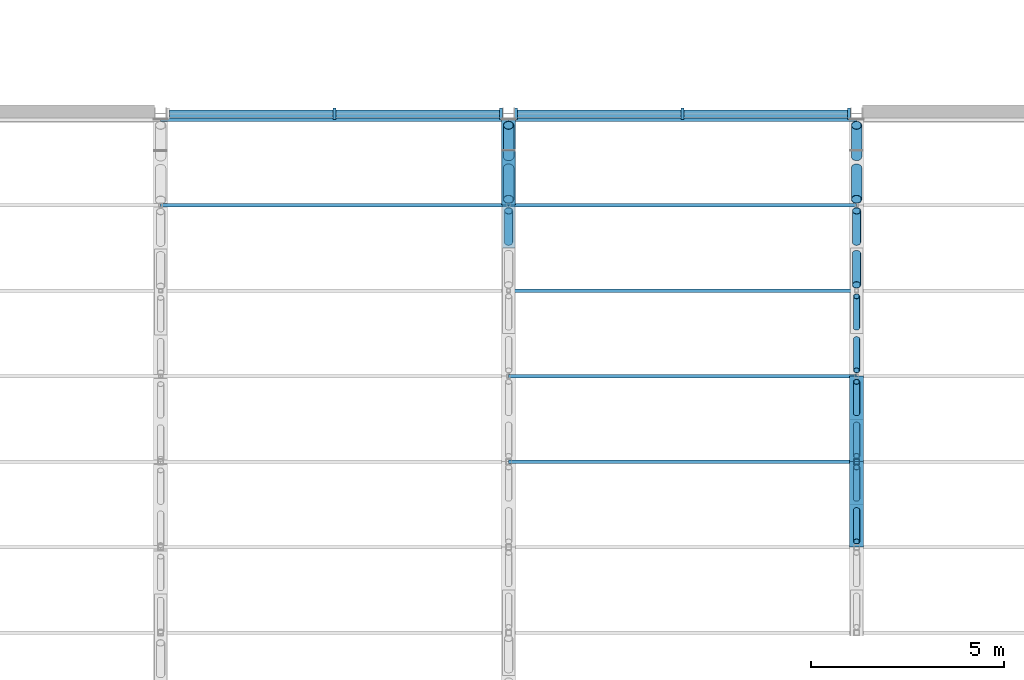
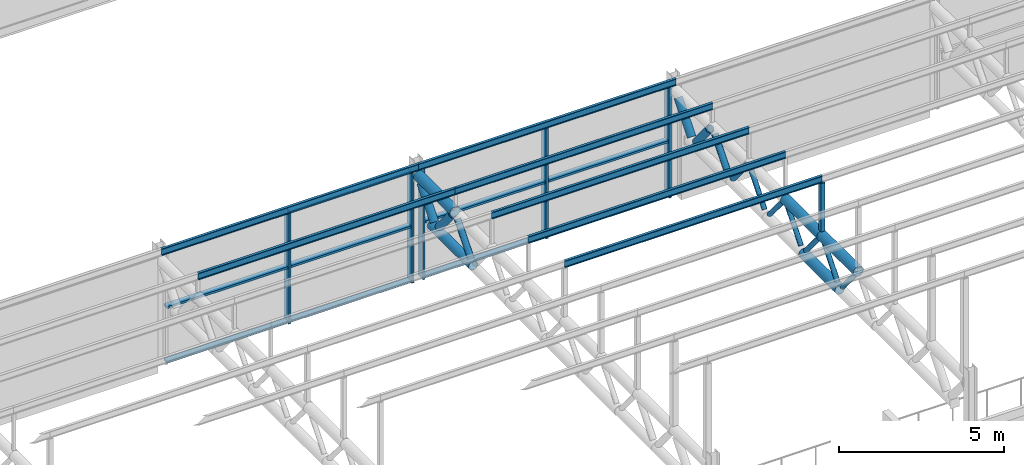
# One storey, part 76 of 138: 43 members, 2 elements without a shape of their own.
"""IFC4 building model written with IfcOpenShell, lengths in metres."""

from ifc_helpers import new_model, si_unit, direction, frame, origin, origin_2d, place, context, subcontext, project, spatial, rectangle, hollow_rectangle, hollow_circle, i_section, extrude, material, layer, layer_set, material_profile, profile_set, type_object, element, aggregate, save


model = new_model("IFC4")

# Units and contexts
model_context = context("Model", 3, precision=1e-05, world=origin(), true_north=direction((0.0, 1.0)))
body_context = subcontext(model_context, "Body", "Model", "MODEL_VIEW")
ifc_project = project(units=[si_unit("LENGTHUNIT", "METRE"), si_unit("AREAUNIT", "SQUARE_METRE"), si_unit("VOLUMEUNIT", "CUBIC_METRE"), si_unit("PLANEANGLEUNIT", "RADIAN"), si_unit("MASSUNIT", "GRAM", prefix="KILO")], contexts=[model_context])

# Site, building, storey
site_placement = place(None, origin())
site = spatial("IfcSite", under=ifc_project, at=site_placement, CompositionType="ELEMENT")
building_placement = place(site_placement, origin())
building = spatial("IfcBuilding", under=site, at=building_placement, Name="Corbel Yard City Hall", CompositionType="ELEMENT")
storey_placement = place(building_placement, frame((0.0, 0.0, 10.5)))
storey = spatial("IfcBuildingStorey", under=building, at=storey_placement, Name="L02", CompositionType="ELEMENT", Elevation=10.5)

# Members
ifc_material_1 = material(Name="Steel Grade 300 (300 MPa yield)", Category="steel")
ifc_material_profile_1 = material_profile(ifc_material_1, i_section(OverallWidth=0.090087890625, OverallDepth=0.25, WebThickness=0.008056640625, FlangeThickness=0.014892578125, at=origin_2d()), Name="250PFC")
ifc_profile_set_1 = profile_set([ifc_material_profile_1], Name="Steel Grade 300 (300 MPa yield)")
member_type_1 = type_object("IfcMemberType", Name="Eaves purlin 250PFC", PredefinedType="PURLIN", material=ifc_profile_set_1)
for number, where, z_axis, x_axis, name in (
    (1, (126.0, 26.847412109375, 4.24658203125), (1.0, 0.0, 0.0), (0.0, 1.0, 0.0), "Eaves purlin 250PFC PU2"),
    (2, (135.0, 26.847412109375, 4.24658203125), (1.0, 0.0, 0.0), (0.0, 1.0, 0.0), "Eaves purlin 250PFC PU2"),
):
    element("IfcMember", number, at=place(storey_placement, frame(where, z_axis=z_axis, x_axis=x_axis)), inside=storey, type_object=member_type_1, Name=name, PredefinedType="PURLIN", context=body_context, shape_type="SweptSolid", body=[
        extrude(i_section(OverallWidth=0.090087890625, OverallDepth=0.25, WebThickness=0.008056640625, FlangeThickness=0.014892578125, at=origin_2d()), origin(), (0.0, 0.0, 1.0), 9.0),
    ])
ifc_material_2 = material(Name="Steel Grade C350L0", Category="steel")
ifc_material_profile_2 = material_profile(ifc_material_2, hollow_circle(Radius=0.161865234375, WallThickness=0.0126953125, at=origin_2d()), Name="323.9x12.7CHS")
ifc_profile_set_2 = profile_set([ifc_material_profile_2], Name="Steel Grade C350L0")
member_type_2 = type_object("IfcMemberType", Name="Hall roof truss bottom chord 323.9x12.7CHS", PredefinedType="CHORD", material=ifc_profile_set_2)
member_1_placement = place(storey_placement, frame((135.0, 23.52978515625, 2.59228515625), z_axis=(0.0, 1.0, 0.0), x_axis=(-1.0, 0.0, 0.0)))
element("IfcMember", 3, at=member_1_placement, inside=storey, type_object=member_type_2, Name="Hall roof truss bottom chord 323.9x12.7CHS TC2", PredefinedType="CHORD", context=body_context, shape_type="SweptSolid", body=[
    extrude(hollow_circle(Radius=0.161865234375, WallThickness=0.0126953125, at=origin_2d()), origin(), (0.0, 0.0, 1.0), 2.51171875),
])
ifc_material_profile_3 = material_profile(ifc_material_2, hollow_circle(Radius=0.177734375, WallThickness=0.0126953125, at=origin_2d()), Name="355.6x12.7CHS")
ifc_profile_set_3 = profile_set([ifc_material_profile_3], Name="Steel Grade C350L0")
member_type_3 = type_object("IfcMemberType", Name="Hall roof truss bottom chord 355.6x12.7CHS", PredefinedType="CHORD", material=ifc_profile_set_3)
member_2_placement = place(storey_placement, frame((144.0, 16.89404296875, 2.59228515625), z_axis=(0.0, 1.0, 0.0), x_axis=(-1.0, 0.0, 0.0)))
element("IfcMember", 4, at=member_2_placement, inside=storey, type_object=member_type_3, Name="Hall roof truss bottom chord 355.6x12.7CHS TC3", PredefinedType="CHORD", context=body_context, shape_type="SweptSolid", body=[
    extrude(hollow_circle(Radius=0.177734375, WallThickness=0.0126953125, at=origin_2d()), origin(), (0.0, 0.0, 1.0), 2.2119140625),
])
ifc_material_profile_4 = material_profile(ifc_material_2, hollow_circle(Radius=0.084228515625, WallThickness=0.007080078125, at=origin_2d()), Name="168.3x7.1CHS")
ifc_profile_set_4 = profile_set([ifc_material_profile_4], Name="Steel Grade C350L0")
member_type_4 = type_object("IfcMemberType", Name="Hall roof truss diagonal 168.3x7.1CHS", PredefinedType="STRUT", material=ifc_profile_set_4)
member_3_placement = place(storey_placement, frame((144.0, 15.93603515625, 3.744384765625), z_axis=(0.0, 0.639407153698, -0.768868318894), x_axis=(-1.0, 0.0, 0.0)))
element("IfcMember", 5, at=member_3_placement, inside=storey, type_object=member_type_4, Name="Hall roof truss diagonal 168.3x7.1CHS TD3", PredefinedType="STRUT", context=body_context, shape_type="SweptSolid", body=[
    extrude(hollow_circle(Radius=0.084228515625, WallThickness=0.007080078125, at=origin_2d()), origin(), (0.0, 0.0, 1.0), 1.267333984375),
])
for number, where, z_axis, x_axis, name in (
    (6, (144.0, 17.0419921875, 2.77001953125), (0.0, 0.639293245648, 0.768963032966), (-1.0, 0.0, 0.0), "Hall roof truss diagonal 168.3x7.1CHS TD3"),
    (7, (144.0, 18.14794921875, 3.744384765625), (0.0, 0.639293245648, -0.768963032966), (-1.0, 0.0, 0.0), "Hall roof truss diagonal 168.3x7.1CHS TD3"),
):
    element("IfcMember", number, at=place(storey_placement, frame(where, z_axis=z_axis, x_axis=x_axis)), inside=storey, type_object=member_type_4, Name=name, PredefinedType="STRUT", context=body_context, shape_type="SweptSolid", body=[
        extrude(hollow_circle(Radius=0.084228515625, WallThickness=0.007080078125, at=origin_2d()), origin(), (0.0, 0.0, 1.0), 1.26708984375),
    ])
for number, where, z_axis, x_axis, name in (
    (8, (144.0, 19.253662109375, 2.77001953125), (0.0, 0.639407153698, 0.768868318894), (-1.0, 0.0, 0.0), "Hall roof truss diagonal 168.3x7.1CHS TD3"),
    (9, (144.0, 20.359619140625, 3.744384765625), (0.0, 0.639407153698, -0.768868318894), (-1.0, 0.0, 0.0), "Hall roof truss diagonal 168.3x7.1CHS TD3"),
    (10, (144.0, 21.465576171875, 2.77001953125), (0.0, 0.639407153698, 0.768868318894), (-1.0, 0.0, 0.0), "Hall roof truss diagonal 168.3x7.1CHS TD3"),
):
    element("IfcMember", number, at=place(storey_placement, frame(where, z_axis=z_axis, x_axis=x_axis)), inside=storey, type_object=member_type_4, Name=name, PredefinedType="STRUT", context=body_context, shape_type="SweptSolid", body=[
        extrude(hollow_circle(Radius=0.084228515625, WallThickness=0.007080078125, at=origin_2d()), origin(), (0.0, 0.0, 1.0), 1.267333984375),
    ])
ifc_material_profile_5 = material_profile(ifc_material_2, hollow_circle(Radius=0.109619140625, WallThickness=0.00830078125, at=origin_2d()), Name="219.1x8.2CHS")
ifc_profile_set_5 = profile_set([ifc_material_profile_5], Name="Steel Grade C350L0")
member_type_5 = type_object("IfcMemberType", Name="Hall roof truss diagonal 219.1x8.2CHS", PredefinedType="STRUT", material=ifc_profile_set_5)
for number, where, z_axis, x_axis, name in (
    (11, (135.0, 23.677490234375, 2.77001953125), (0.0, 0.639407153698, 0.768868318894), (-1.0, 0.0, 0.0), "Hall roof truss diagonal 219.1x8.2CHS TD2"),
    (12, (144.0, 22.571533203125, 3.744384765625), (0.0, 0.639407153698, -0.768868318894), (-1.0, 0.0, 0.0), "Hall roof truss diagonal 219.1x8.2CHS TD2"),
    (13, (144.0, 23.677490234375, 2.77001953125), (0.0, 0.639407153698, 0.768868318894), (-1.0, 0.0, 0.0), "Hall roof truss diagonal 219.1x8.2CHS TD2"),
):
    element("IfcMember", number, at=place(storey_placement, frame(where, z_axis=z_axis, x_axis=x_axis)), inside=storey, type_object=member_type_5, Name=name, PredefinedType="STRUT", context=body_context, shape_type="SweptSolid", body=[
        extrude(hollow_circle(Radius=0.109619140625, WallThickness=0.00830078125, at=origin_2d()), origin(), (0.0, 0.0, 1.0), 1.267333984375),
    ])
ifc_material_profile_6 = material_profile(ifc_material_2, hollow_circle(Radius=0.136474609375, WallThickness=0.00927734375, at=origin_2d()), Name="273.1x9.3CHS")
ifc_profile_set_6 = profile_set([ifc_material_profile_6], Name="Steel Grade C350L0")
member_type_6 = type_object("IfcMemberType", Name="Hall roof truss diagonal 273.1x9.3CHS", PredefinedType="STRUT", material=ifc_profile_set_6)
for number, where, z_axis, x_axis, name in (
    (14, (135.0, 24.783447265625, 3.744384765625), (0.0, 0.639407153698, -0.768868318894), (-1.0, 0.0, 0.0), "Hall roof truss diagonal 273.1x9.3CHS TD1"),
    (15, (135.0, 25.889404296875, 2.77001953125), (0.0, 0.639407153698, 0.768868318894), (-1.0, 0.0, 0.0), "Hall roof truss diagonal 273.1x9.3CHS TD1"),
    (16, (144.0, 24.783447265625, 3.744384765625), (0.0, 0.639407153698, -0.768868318894), (-1.0, 0.0, 0.0), "Hall roof truss diagonal 273.1x9.3CHS TD1"),
    (17, (144.0, 25.889404296875, 2.77001953125), (0.0, 0.639407153698, 0.768868318894), (-1.0, 0.0, 0.0), "Hall roof truss diagonal 273.1x9.3CHS TD1"),
):
    element("IfcMember", number, at=place(storey_placement, frame(where, z_axis=z_axis, x_axis=x_axis)), inside=storey, type_object=member_type_6, Name=name, PredefinedType="STRUT", context=body_context, shape_type="SweptSolid", body=[
        extrude(hollow_circle(Radius=0.136474609375, WallThickness=0.00927734375, at=origin_2d()), origin(), (0.0, 0.0, 1.0), 1.267333984375),
    ])
ifc_material_profile_7 = material_profile(ifc_material_2, hollow_circle(Radius=0.177734375, WallThickness=0.0126953125, at=origin_2d()), Name="355.6x12.7CHS")
ifc_profile_set_7 = profile_set([ifc_material_profile_7], Name="Steel Grade C350L0")
member_type_7 = type_object("IfcMemberType", Name="Hall roof truss top chord 355.6x12.7CHS", PredefinedType="CHORD", material=ifc_profile_set_7)
member_4_placement = place(storey_placement, frame((135.0, 24.6357421875, 3.922119140625), z_axis=(0.0, 1.0, 0.0), x_axis=(-1.0, 0.0, 0.0)))
element("IfcMember", 18, at=member_4_placement, inside=storey, type_object=member_type_7, Name="Hall roof truss top chord 355.6x12.7CHS TC1", PredefinedType="CHORD", context=body_context, shape_type="SweptSolid", body=[
    extrude(hollow_circle(Radius=0.177734375, WallThickness=0.0126953125, at=origin_2d()), origin(), (0.0, 0.0, 1.0), 2.211669921875),
])
for number, where, z_axis, x_axis, name in (
    (19, (144.0, 15.7880859375, 3.922119140625), (0.0, 1.0, 0.0), (-1.0, 0.0, 0.0), "Hall roof truss top chord 355.6x12.7CHS TC1"),
    (20, (144.0, 18.0, 3.922119140625), (0.0, 1.0, 0.0), (-1.0, 0.0, 0.0), "Hall roof truss top chord 355.6x12.7CHS TC1"),
):
    element("IfcMember", number, at=place(storey_placement, frame(where, z_axis=z_axis, x_axis=x_axis)), inside=storey, type_object=member_type_7, Name=name, PredefinedType="CHORD", context=body_context, shape_type="SweptSolid", body=[
        extrude(hollow_circle(Radius=0.177734375, WallThickness=0.0126953125, at=origin_2d()), origin(), (0.0, 0.0, 1.0), 2.2119140625),
    ])

# Curtain wall, members
ifc_material_3 = material(Name="Aluminium extrusion", Category="aluminium")
ifc_layer = layer(ifc_material_3, 0.300048828125)
ifc_layer_set = layer_set([ifc_layer], Name="Aluminium extrusion")
curtain_wall_type = type_object("IfcCurtainWallType", Name="CW7", PredefinedType="USERDEFINED", material=ifc_layer_set)
curtain_wall_1_placement = place(storey_placement, origin())
curtain_wall_1 = element("IfcCurtainWall", 21, at=curtain_wall_1_placement, inside=storey, type_object=curtain_wall_type, Name="Curtain wall CW7 L02", ObjectType="CURTAIN WALL", PredefinedType="USERDEFINED")
ifc_material_profile_8 = material_profile(ifc_material_3, rectangle(XDim=0.300048828125, YDim=0.080078125, at=origin_2d()), Name="300x80")
ifc_profile_set_8 = profile_set([ifc_material_profile_8], Name="Aluminium extrusion")
member_type_8 = type_object("IfcMemberType", Name="ML7", PredefinedType="MULLION", material=ifc_profile_set_8)
member_5_placement = place(storey_placement, frame((130.5, 27.0, 0.0), z_axis=(0.0, 0.0, 1.0), x_axis=(0.0, 1.0, 0.0)))
member_5 = element("IfcMember", 22, at=member_5_placement, type_object=member_type_8, Name="CW7 mullion 2", PredefinedType="MULLION", context=body_context, shape_type="SweptSolid", body=[
    extrude(rectangle(XDim=0.300048828125, YDim=0.080078125, at=origin_2d()), origin(), (0.0, 0.0, 1.0), 4.12158203125),
])
member_6_placement = place(storey_placement, frame((134.805908203125, 27.0, 0.0), z_axis=(0.0, 0.0, 1.0), x_axis=(0.0, 1.0, 0.0)))
member_6 = element("IfcMember", 23, at=member_6_placement, type_object=member_type_8, Name="CW7 mullion 3", PredefinedType="MULLION", context=body_context, shape_type="SweptSolid", body=[
    extrude(rectangle(XDim=0.300048828125, YDim=0.080078125, at=origin_2d()), origin(), (0.0, 0.0, 1.0), 4.12158203125),
])

curtain_wall_2_placement = place(storey_placement, origin())
curtain_wall_2 = element("IfcCurtainWall", 24, at=curtain_wall_2_placement, inside=storey, type_object=curtain_wall_type, Name="Curtain wall CW7 L02", ObjectType="CURTAIN WALL", PredefinedType="USERDEFINED")
member_7_placement = place(storey_placement, frame((135.194091796875, 27.0, 0.0), z_axis=(0.0, 0.0, 1.0), x_axis=(0.0, 1.0, 0.0)))
member_7 = element("IfcMember", 25, at=member_7_placement, type_object=member_type_8, Name="CW7 mullion 1", PredefinedType="MULLION", context=body_context, shape_type="SweptSolid", body=[
    extrude(rectangle(XDim=0.300048828125, YDim=0.080078125, at=origin_2d()), origin(), (0.0, 0.0, 1.0), 4.12158203125),
])
member_8_placement = place(storey_placement, frame((139.5, 27.0, 0.0), z_axis=(0.0, 0.0, 1.0), x_axis=(0.0, 1.0, 0.0)))
member_8 = element("IfcMember", 26, at=member_8_placement, type_object=member_type_8, Name="CW7 mullion 2", PredefinedType="MULLION", context=body_context, shape_type="SweptSolid", body=[
    extrude(rectangle(XDim=0.300048828125, YDim=0.080078125, at=origin_2d()), origin(), (0.0, 0.0, 1.0), 4.12158203125),
])
member_9_placement = place(storey_placement, frame((143.805908203125, 27.0, 0.0), z_axis=(0.0, 0.0, 1.0), x_axis=(0.0, 1.0, 0.0)))
member_9 = element("IfcMember", 27, at=member_9_placement, type_object=member_type_8, Name="CW7 mullion 3", PredefinedType="MULLION", context=body_context, shape_type="SweptSolid", body=[
    extrude(rectangle(XDim=0.300048828125, YDim=0.080078125, at=origin_2d()), origin(), (0.0, 0.0, 1.0), 4.12158203125),
])

# Members
ifc_material_profile_9 = material_profile(ifc_material_1, i_section(OverallWidth=0.090087890625, OverallDepth=0.25, WebThickness=0.008056640625, FlangeThickness=0.014892578125, at=origin_2d()), Name="250PFC")
ifc_profile_set_9 = profile_set([ifc_material_profile_9], Name="Steel Grade 300 (300 MPa yield)")
member_type_9 = type_object("IfcMemberType", Name="Purlin 250PFC", PredefinedType="PURLIN", material=ifc_profile_set_9)
for number, where, z_axis, x_axis, name in (
    (28, (126.0, 24.6357421875, 4.68896484375), (1.0, 0.0, 0.0), (0.0, 1.0, 0.0), "Purlin 250PFC PU1"),
    (29, (135.0, 18.0, 6.01611328125), (1.0, 0.0, 0.0), (0.0, 1.0, 0.0), "Purlin 250PFC PU1"),
    (30, (135.0, 20.2119140625, 5.57373046875), (1.0, 0.0, 0.0), (0.0, 1.0, 0.0), "Purlin 250PFC PU1"),
    (31, (135.0, 22.423828125, 5.13134765625), (1.0, 0.0, 0.0), (0.0, 1.0, 0.0), "Purlin 250PFC PU1"),
    (32, (135.0, 24.6357421875, 4.68896484375), (1.0, 0.0, 0.0), (0.0, 1.0, 0.0), "Purlin 250PFC PU1"),
):
    element("IfcMember", number, at=place(storey_placement, frame(where, z_axis=z_axis, x_axis=x_axis)), inside=storey, type_object=member_type_9, Name=name, PredefinedType="PURLIN", context=body_context, shape_type="SweptSolid", body=[
        extrude(i_section(OverallWidth=0.090087890625, OverallDepth=0.25, WebThickness=0.008056640625, FlangeThickness=0.014892578125, at=origin_2d()), origin(), (0.0, 0.0, 1.0), 9.0),
    ])
ifc_material_4 = material(Name="Steel Grade C450L0", Category="steel")
ifc_material_profile_10 = material_profile(ifc_material_4, hollow_rectangle(XDim=0.14990234375, YDim=0.14990234375, WallThickness=0.009033203125, at=origin_2d()), Name="150x150x9.0SHS")
ifc_profile_set_10 = profile_set([ifc_material_profile_10], Name="Steel Grade C450L0")
member_type_10 = type_object("IfcMemberType", Name="Roof post 150x150x9.0SHS", PredefinedType="POST", material=ifc_profile_set_10)
member_10_placement = place(storey_placement, frame((144.0, 18.0, 4.10009765625), z_axis=(0.0, 0.0, 1.0), x_axis=(1.0, 0.0, 0.0)))
element("IfcMember", 33, at=member_10_placement, inside=storey, type_object=member_type_10, Name="Roof post 150x150x9.0SHS RP2", PredefinedType="POST", context=body_context, shape_type="SweptSolid", body=[
    extrude(hollow_rectangle(XDim=0.14990234375, YDim=0.14990234375, WallThickness=0.009033203125, at=origin_2d()), origin(), (0.0, 0.0, 1.0), 1.791015625),
])

# Member
ifc_material_profile_11 = material_profile(ifc_material_3, rectangle(XDim=0.199951171875, YDim=0.080078125, at=origin_2d()), Name="200x80")
ifc_profile_set_11 = profile_set([ifc_material_profile_11], Name="Aluminium extrusion")
member_type_11 = type_object("IfcMemberType", Name="TR7", PredefinedType="USERDEFINED", material=ifc_profile_set_11)
member_11_placement = place(storey_placement, frame((126.23388671875, 27.0, 0.0400390625), z_axis=(1.0, 0.0, 0.0), x_axis=(0.0, 1.0, 0.0)))
member_11 = element("IfcMember", 34, at=member_11_placement, type_object=member_type_11, Name="CW7 transom 1.1", ObjectType="TRANSOM", PredefinedType="USERDEFINED", context=body_context, shape_type="SweptSolid", body=[
    extrude(rectangle(XDim=0.199951171875, YDim=0.080078125, at=origin_2d()), origin(), (0.0, 0.0, 1.0), 4.22607421875),
])

member_12_placement = place(storey_placement, frame((126.23388671875, 27.0, 2.060791015625), z_axis=(1.0, 0.0, 0.0), x_axis=(0.0, 1.0, 0.0)))
member_12 = element("IfcMember", 35, at=member_12_placement, type_object=member_type_11, Name="CW7 transom 1.2", ObjectType="TRANSOM", PredefinedType="USERDEFINED", context=body_context, shape_type="SweptSolid", body=[
    extrude(rectangle(XDim=0.199951171875, YDim=0.080078125, at=origin_2d()), origin(), (0.0, 0.0, 1.0), 4.22607421875),
])

member_13_placement = place(storey_placement, frame((126.23388671875, 27.0, 4.08154296875), z_axis=(1.0, 0.0, 0.0), x_axis=(0.0, 1.0, 0.0)))
member_13 = element("IfcMember", 36, at=member_13_placement, type_object=member_type_11, Name="CW7 transom 1.3", ObjectType="TRANSOM", PredefinedType="USERDEFINED", context=body_context, shape_type="SweptSolid", body=[
    extrude(rectangle(XDim=0.199951171875, YDim=0.080078125, at=origin_2d()), origin(), (0.0, 0.0, 1.0), 4.22607421875),
])

member_14_placement = place(storey_placement, frame((130.5400390625, 27.0, 0.0400390625), z_axis=(1.0, 0.0, 0.0), x_axis=(0.0, 1.0, 0.0)))
member_14 = element("IfcMember", 37, at=member_14_placement, type_object=member_type_11, Name="CW7 transom 2.1", ObjectType="TRANSOM", PredefinedType="USERDEFINED", context=body_context, shape_type="SweptSolid", body=[
    extrude(rectangle(XDim=0.199951171875, YDim=0.080078125, at=origin_2d()), origin(), (0.0, 0.0, 1.0), 4.22607421875),
])

member_15_placement = place(storey_placement, frame((130.5400390625, 27.0, 2.060791015625), z_axis=(1.0, 0.0, 0.0), x_axis=(0.0, 1.0, 0.0)))
member_15 = element("IfcMember", 38, at=member_15_placement, type_object=member_type_11, Name="CW7 transom 2.2", ObjectType="TRANSOM", PredefinedType="USERDEFINED", context=body_context, shape_type="SweptSolid", body=[
    extrude(rectangle(XDim=0.199951171875, YDim=0.080078125, at=origin_2d()), origin(), (0.0, 0.0, 1.0), 4.22607421875),
])

member_16_placement = place(storey_placement, frame((130.5400390625, 27.0, 4.08154296875), z_axis=(1.0, 0.0, 0.0), x_axis=(0.0, 1.0, 0.0)))
member_16 = element("IfcMember", 39, at=member_16_placement, type_object=member_type_11, Name="CW7 transom 2.3", ObjectType="TRANSOM", PredefinedType="USERDEFINED", context=body_context, shape_type="SweptSolid", body=[
    extrude(rectangle(XDim=0.199951171875, YDim=0.080078125, at=origin_2d()), origin(), (0.0, 0.0, 1.0), 4.22607421875),
])

aggregate(curtain_wall_1, [member_5, member_6, member_11, member_12, member_13, member_14, member_15, member_16])

member_17_placement = place(storey_placement, frame((135.23388671875, 27.0, 0.0400390625), z_axis=(1.0, 0.0, 0.0), x_axis=(0.0, 1.0, 0.0)))
member_17 = element("IfcMember", 40, at=member_17_placement, type_object=member_type_11, Name="CW7 transom 1.1", ObjectType="TRANSOM", PredefinedType="USERDEFINED", context=body_context, shape_type="SweptSolid", body=[
    extrude(rectangle(XDim=0.199951171875, YDim=0.080078125, at=origin_2d()), origin(), (0.0, 0.0, 1.0), 4.22607421875),
])

member_18_placement = place(storey_placement, frame((135.23388671875, 27.0, 2.060791015625), z_axis=(1.0, 0.0, 0.0), x_axis=(0.0, 1.0, 0.0)))
member_18 = element("IfcMember", 41, at=member_18_placement, type_object=member_type_11, Name="CW7 transom 1.2", ObjectType="TRANSOM", PredefinedType="USERDEFINED", context=body_context, shape_type="SweptSolid", body=[
    extrude(rectangle(XDim=0.199951171875, YDim=0.080078125, at=origin_2d()), origin(), (0.0, 0.0, 1.0), 4.22607421875),
])

member_19_placement = place(storey_placement, frame((135.23388671875, 27.0, 4.08154296875), z_axis=(1.0, 0.0, 0.0), x_axis=(0.0, 1.0, 0.0)))
member_19 = element("IfcMember", 42, at=member_19_placement, type_object=member_type_11, Name="CW7 transom 1.3", ObjectType="TRANSOM", PredefinedType="USERDEFINED", context=body_context, shape_type="SweptSolid", body=[
    extrude(rectangle(XDim=0.199951171875, YDim=0.080078125, at=origin_2d()), origin(), (0.0, 0.0, 1.0), 4.22607421875),
])

member_20_placement = place(storey_placement, frame((139.5400390625, 27.0, 0.0400390625), z_axis=(1.0, 0.0, 0.0), x_axis=(0.0, 1.0, 0.0)))
member_20 = element("IfcMember", 43, at=member_20_placement, type_object=member_type_11, Name="CW7 transom 2.1", ObjectType="TRANSOM", PredefinedType="USERDEFINED", context=body_context, shape_type="SweptSolid", body=[
    extrude(rectangle(XDim=0.199951171875, YDim=0.080078125, at=origin_2d()), origin(), (0.0, 0.0, 1.0), 4.22607421875),
])

member_21_placement = place(storey_placement, frame((139.5400390625, 27.0, 2.060791015625), z_axis=(1.0, 0.0, 0.0), x_axis=(0.0, 1.0, 0.0)))
member_21 = element("IfcMember", 44, at=member_21_placement, type_object=member_type_11, Name="CW7 transom 2.2", ObjectType="TRANSOM", PredefinedType="USERDEFINED", context=body_context, shape_type="SweptSolid", body=[
    extrude(rectangle(XDim=0.199951171875, YDim=0.080078125, at=origin_2d()), origin(), (0.0, 0.0, 1.0), 4.22607421875),
])

member_22_placement = place(storey_placement, frame((139.5400390625, 27.0, 4.08154296875), z_axis=(1.0, 0.0, 0.0), x_axis=(0.0, 1.0, 0.0)))
member_22 = element("IfcMember", 45, at=member_22_placement, type_object=member_type_11, Name="CW7 transom 2.3", ObjectType="TRANSOM", PredefinedType="USERDEFINED", context=body_context, shape_type="SweptSolid", body=[
    extrude(rectangle(XDim=0.199951171875, YDim=0.080078125, at=origin_2d()), origin(), (0.0, 0.0, 1.0), 4.22607421875),
])

aggregate(curtain_wall_2, [member_7, member_8, member_9, member_17, member_18, member_19, member_20, member_21, member_22])

save(model, "model.ifc")
